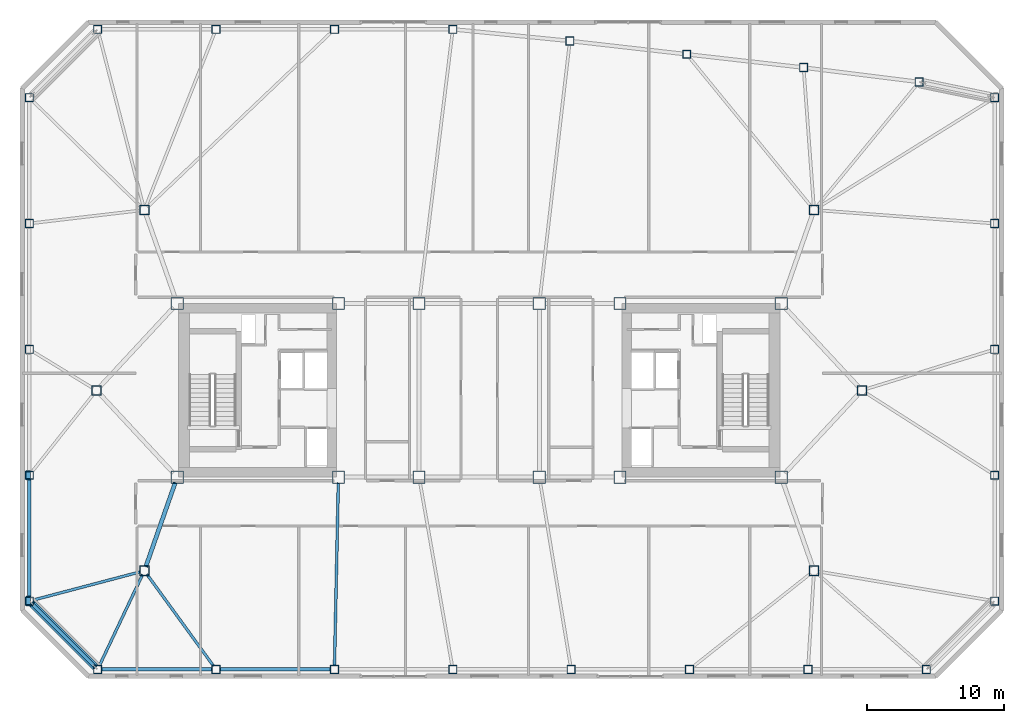
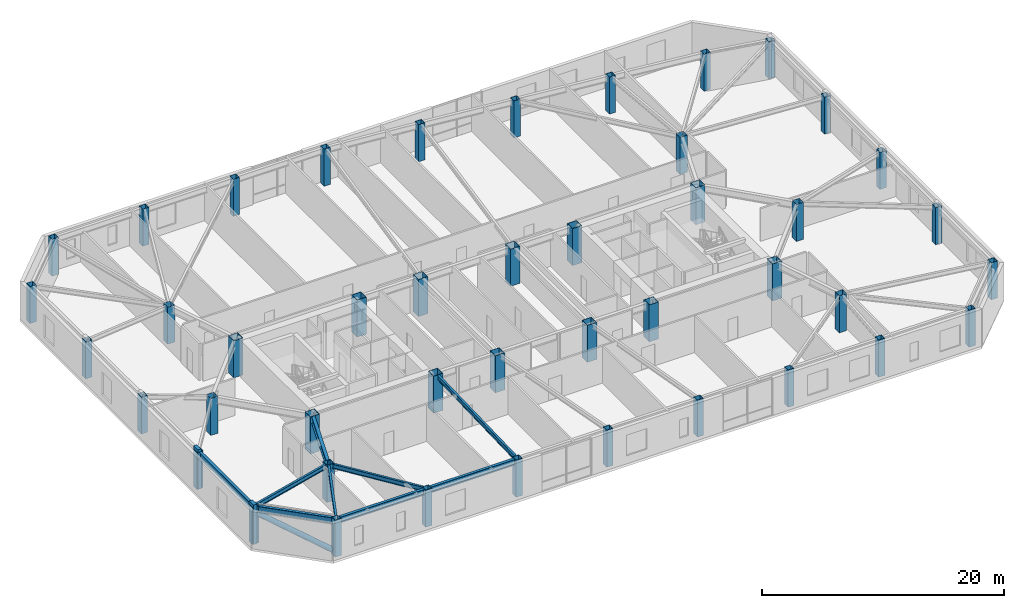
# One storey, part 1 of 18: 44 columns, 9 beams, 3 members.
"""IFC4 building model written with IfcOpenShell, lengths in metres."""

from ifc_helpers import new_model, si_unit, direction, frame, origin, origin_2d, place, context, subcontext, project, spatial, rectangle, hollow_rectangle, hollow_circle, i_section, extrude, material, material_profile, profile_set, type_object, element, save


model = new_model("IFC4")

# Units and contexts
model_context = context("Model", 3, precision=1e-05, world=origin(), true_north=direction((0.0, 1.0)))
body_context = subcontext(model_context, "Body", "Model", "MODEL_VIEW")
ifc_project = project(units=[si_unit("LENGTHUNIT", "METRE"), si_unit("AREAUNIT", "SQUARE_METRE"), si_unit("VOLUMEUNIT", "CUBIC_METRE"), si_unit("PLANEANGLEUNIT", "RADIAN"), si_unit("MASSUNIT", "GRAM", prefix="KILO")], contexts=[model_context])

# Site, building, storey
site_placement = place(None, origin())
site = spatial("IfcSite", under=ifc_project, at=site_placement, CompositionType="ELEMENT")
building_placement = place(site_placement, origin())
building = spatial("IfcBuilding", under=site, at=building_placement, Name="Tavrogorsk Clinical Tower", CompositionType="ELEMENT")
storey_placement = place(building_placement, frame((0.0, 0.0, 200.199951171875)))
storey = spatial("IfcBuildingStorey", under=building, at=storey_placement, Name="L46", CompositionType="ELEMENT", Elevation=200.199951171875)

# Columns
ifc_material_1 = material(Name="Structural steel S440", Category="steel")
ifc_material_profile_1 = material_profile(ifc_material_1, hollow_rectangle(XDim=0.699951171875, YDim=0.699951171875, WallThickness=0.031982421875, at=origin_2d()), Name="BOX-700x700x32")
ifc_profile_set_1 = profile_set([ifc_material_profile_1], Name="Structural steel S440")
column_type_1 = type_object("IfcColumnType", Name="MegaCol_BOX700", PredefinedType="COLUMN", material=ifc_profile_set_1)
for number, where, z_axis, x_axis, name in (
    (1, (-24.5, -13.199951171875, 0.0), (0.0, 0.0, 1.0), (1.0, 0.0, 0.0), "L46 Spine Pilotis Column MC-P1"),
    (2, (24.5, -13.199951171875, 0.0), (0.0, 0.0, 1.0), (1.0, 0.0, 0.0), "L46 Spine Pilotis Column MC-P2"),
    (3, (-24.5, 13.199951171875, 0.0), (0.0, 0.0, 1.0), (1.0, 0.0, 0.0), "L46 Spine Pilotis Column MC-P3"),
    (4, (24.5, 13.199951171875, 0.0), (0.0, 0.0, 1.0), (1.0, 0.0, 0.0), "L46 Spine Pilotis Column MC-P4"),
    (5, (-28.0, 0.0, 0.0), (0.0, 0.0, 1.0), (1.0, 0.0, 0.0), "L46 Spine Pilotis Column MC-P5"),
    (6, (28.0, 0.0, 0.0), (0.0, 0.0, 1.0), (1.0, 0.0, 0.0), "L46 Spine Pilotis Column MC-P6"),
):
    element("IfcColumn", number, at=place(storey_placement, frame(where, z_axis=z_axis, x_axis=x_axis)), inside=storey, type_object=column_type_1, Name=name, PredefinedType="COLUMN", context=body_context, shape_type="SweptSolid", body=[
        extrude(hollow_rectangle(XDim=0.699951171875, YDim=0.699951171875, WallThickness=0.031982421875, at=origin_2d()), origin(), (0.0, 0.0, 1.0), 3.739990234375),
    ])
ifc_material_2 = material(Name="Structural steel S440", Category="steel")
ifc_material_profile_2 = material_profile(ifc_material_2, hollow_rectangle(XDim=0.89990234375, YDim=0.89990234375, WallThickness=0.0400390625, at=origin_2d()), Name="BOX-900x900x40")
ifc_profile_set_2 = profile_set([ifc_material_profile_2], Name="Structural steel S440")
column_type_2 = type_object("IfcColumnType", Name="MegaCol_BOX900", PredefinedType="COLUMN", material=ifc_profile_set_2)
for number, where, z_axis, x_axis, name in (
    (7, (-22.10009765625, -6.35009765625, 0.0), (0.0, 0.0, 1.0), (1.0, 0.0, 0.0), "L46 Mega Column MC-W1"),
    (8, (-22.10009765625, 6.35009765625, 0.0), (0.0, 0.0, 1.0), (1.0, 0.0, 0.0), "L46 Mega Column MC-W2"),
    (9, (-10.300048828125, -6.35009765625, 0.0), (0.0, 0.0, 1.0), (1.0, 0.0, 0.0), "L46 Mega Column MC-W3"),
    (10, (-10.300048828125, 6.35009765625, 0.0), (0.0, 0.0, 1.0), (1.0, 0.0, 0.0), "L46 Mega Column MC-W4"),
    (11, (10.300048828125, -6.35009765625, 0.0), (0.0, 0.0, 1.0), (1.0, 0.0, 0.0), "L46 Mega Column MC-E1"),
    (12, (10.300048828125, 6.35009765625, 0.0), (0.0, 0.0, 1.0), (1.0, 0.0, 0.0), "L46 Mega Column MC-E2"),
    (13, (22.10009765625, -6.35009765625, 0.0), (0.0, 0.0, 1.0), (1.0, 0.0, 0.0), "L46 Mega Column MC-E3"),
    (14, (22.10009765625, 6.35009765625, 0.0), (0.0, 0.0, 1.0), (1.0, 0.0, 0.0), "L46 Mega Column MC-E4"),
    (15, (-4.39990234375, -6.35009765625, 0.0), (0.0, 0.0, 1.0), (1.0, 0.0, 0.0), "L46 Mega Column MC-C1"),
    (16, (4.39990234375, -6.35009765625, 0.0), (0.0, 0.0, 1.0), (1.0, 0.0, 0.0), "L46 Mega Column MC-C2"),
    (17, (-4.39990234375, 6.35009765625, 0.0), (0.0, 0.0, 1.0), (1.0, 0.0, 0.0), "L46 Mega Column MC-C3"),
    (18, (4.39990234375, 6.35009765625, 0.0), (0.0, 0.0, 1.0), (1.0, 0.0, 0.0), "L46 Mega Column MC-C4"),
):
    element("IfcColumn", number, at=place(storey_placement, frame(where, z_axis=z_axis, x_axis=x_axis)), inside=storey, type_object=column_type_2, Name=name, PredefinedType="COLUMN", context=body_context, shape_type="SweptSolid", body=[
        extrude(hollow_rectangle(XDim=0.89990234375, YDim=0.89990234375, WallThickness=0.0400390625, at=origin_2d()), origin(), (0.0, 0.0, 1.0), 3.739990234375),
    ])
ifc_material_3 = material(Name="Structural steel S440", Category="steel")
ifc_material_profile_3 = material_profile(ifc_material_3, hollow_rectangle(XDim=0.60009765625, YDim=0.60009765625, WallThickness=0.028076171875, at=origin_2d()), Name="BOX-600x600x28")
ifc_profile_set_3 = profile_set([ifc_material_profile_3], Name="Structural steel S440")
column_type_3 = type_object("IfcColumnType", Name="PerimCol_B3_BOX600", PredefinedType="COLUMN", material=ifc_profile_set_3)
for number, where, z_axis, x_axis, name in (
    (19, (-27.919921875, -20.419921875, 0.0), (0.0, 0.0, 1.0), (1.0, 0.0, 0.0), "L46 Perimeter Column S1"),
    (20, (-19.257080078125, -20.419921875, 0.0), (0.0, 0.0, 1.0), (1.0, 0.0, 0.0), "L46 Perimeter Column S2"),
    (21, (-10.59423828125, -20.419921875, 0.0), (0.0, 0.0, 1.0), (1.0, 0.0, 0.0), "L46 Perimeter Column S3"),
    (22, (-1.931396484375, -20.419921875, 0.0), (0.0, 0.0, 1.0), (1.0, 0.0, 0.0), "L46 Perimeter Column S4"),
    (23, (6.7314453125, -20.419921875, 0.0), (0.0, 0.0, 1.0), (1.0, 0.0, 0.0), "L46 Perimeter Column S5"),
    (24, (15.394287109375, -20.419921875, 0.0), (0.0, 0.0, 1.0), (1.0, 0.0, 0.0), "L46 Perimeter Column S6"),
    (25, (24.05712890625, -20.419921875, 0.0), (0.0, 0.0, 1.0), (1.0, 0.0, 0.0), "L46 Perimeter Column S7"),
    (26, (32.719970703125, -20.419921875, 0.0), (0.0, 0.0, 1.0), (1.0, 0.0, 0.0), "L46 Perimeter Column S8"),
    (27, (32.19140625, 22.56591796875, 0.0), (0.0, 0.0, 1.0), (1.0, 0.0, 0.0), "L46 Perimeter Column N1"),
    (28, (23.73779296875, 23.617919921875, 0.0), (0.0, 0.0, 1.0), (1.0, 0.0, 0.0), "L46 Perimeter Column N2"),
    (29, (15.18603515625, 24.59228515625, 0.0), (0.0, 0.0, 1.0), (1.0, 0.0, 0.0), "L46 Perimeter Column N3"),
    (30, (6.63427734375, 25.566650390625, 0.0), (0.0, 0.0, 1.0), (1.0, 0.0, 0.0), "L46 Perimeter Column N4"),
    (31, (-1.931396484375, 26.419921875, 0.0), (0.0, 0.0, 1.0), (1.0, 0.0, 0.0), "L46 Perimeter Column N5"),
    (32, (-10.59423828125, 26.419921875, 0.0), (0.0, 0.0, 1.0), (1.0, 0.0, 0.0), "L46 Perimeter Column N6"),
    (33, (-19.257080078125, 26.419921875, 0.0), (0.0, 0.0, 1.0), (1.0, 0.0, 0.0), "L46 Perimeter Column N7"),
    (34, (-27.919921875, 26.419921875, 0.0), (0.0, 0.0, 1.0), (1.0, 0.0, 0.0), "L46 Perimeter Column N8"),
    (35, (37.719970703125, -15.419921875, 0.0), (0.0, 0.0, 1.0), (1.0, 0.0, 0.0), "L46 Perimeter Column E1"),
    (36, (37.719970703125, -6.2099609375, 0.0), (0.0, 0.0, 1.0), (1.0, 0.0, 0.0), "L46 Perimeter Column E2"),
    (37, (37.719970703125, 3.0, 0.0), (0.0, 0.0, 1.0), (1.0, 0.0, 0.0), "L46 Perimeter Column E3"),
    (38, (37.719970703125, 12.2099609375, 0.0), (0.0, 0.0, 1.0), (1.0, 0.0, 0.0), "L46 Perimeter Column E4"),
    (39, (37.719970703125, 21.419921875, 0.0), (0.0, 0.0, 1.0), (1.0, 0.0, 0.0), "L46 Perimeter Column E5"),
    (40, (-32.919921875, 21.419921875, 0.0), (0.0, 0.0, 1.0), (1.0, 0.0, 0.0), "L46 Perimeter Column W1"),
    (41, (-32.919921875, 12.2099609375, 0.0), (0.0, 0.0, 1.0), (1.0, 0.0, 0.0), "L46 Perimeter Column W2"),
    (42, (-32.919921875, 3.0, 0.0), (0.0, 0.0, 1.0), (1.0, 0.0, 0.0), "L46 Perimeter Column W3"),
    (43, (-32.919921875, -6.2099609375, 0.0), (0.0, 0.0, 1.0), (1.0, 0.0, 0.0), "L46 Perimeter Column W4"),
    (44, (-32.919921875, -15.419921875, 0.0), (0.0, 0.0, 1.0), (1.0, 0.0, 0.0), "L46 Perimeter Column W5"),
):
    element("IfcColumn", number, at=place(storey_placement, frame(where, z_axis=z_axis, x_axis=x_axis)), inside=storey, type_object=column_type_3, Name=name, PredefinedType="COLUMN", context=body_context, shape_type="SweptSolid", body=[
        extrude(hollow_rectangle(XDim=0.60009765625, YDim=0.60009765625, WallThickness=0.028076171875, at=origin_2d()), origin(), (0.0, 0.0, 1.0), 3.739990234375),
    ])

# Member
ifc_material_4 = material(Name="Structural steel S440", Category="steel")
ifc_material_profile_4 = material_profile(ifc_material_4, hollow_circle(Radius=0.25390625, WallThickness=0.02001953125, at=origin_2d()), Name="CHS-508x20")
ifc_profile_set_4 = profile_set([ifc_material_profile_4], Name="Structural steel S440")
member_type_1 = type_object("IfcMemberType", Name="ExoBrace_CHS508", PredefinedType="BRACE", material=ifc_profile_set_4)
member_placement = place(storey_placement, frame((-28.12255859375, -20.217529296875, 0.4130859375), z_axis=(-0.657758524103, 0.657758524103, 0.367025132572), x_axis=(-0.707106781187, -0.707106781187, 0.0)))
element("IfcMember", 45, at=member_placement, inside=storey, type_object=member_type_1, Name="L46 Corner Exoskeleton Brace W5-S1", PredefinedType="BRACE", context=body_context, shape_type="SweptSolid", body=[
    extrude(hollow_circle(Radius=0.25390625, WallThickness=0.02001953125, at=origin_2d()), origin(), (0.0, 0.0, 1.0), 6.98583984375),
])

# Beams
ifc_material_5 = material(Name="Structural steel S355", Category="steel")
ifc_material_profile_5 = material_profile(ifc_material_5, i_section(OverallWidth=0.199951171875, OverallDepth=0.449951171875, WebThickness=0.011474609375, FlangeThickness=0.01806640625, at=origin_2d()), Name="B-450x200x11.5x18")
ifc_profile_set_5 = profile_set([ifc_material_profile_5], Name="Structural steel S355")
beam_type_1 = type_object("IfcBeamType", Name="FloorBeam_B450", PredefinedType="BEAM", material=ifc_profile_set_5)
beam_1_placement = place(storey_placement, frame((-24.6328125, -13.480224609375, 3.51513671875), z_axis=(-0.428073530385, -0.90374390874, 0.0), x_axis=(0.90374390874, -0.428073530385, 0.0)))
element("IfcBeam", 46, at=beam_1_placement, inside=storey, type_object=beam_type_1, Name="L46 Radial Floor Beam S1", PredefinedType="BEAM", context=body_context, shape_type="SweptSolid", body=[
    extrude(i_section(OverallWidth=0.199951171875, OverallDepth=0.449951171875, WebThickness=0.011474609375, FlangeThickness=0.01806640625, at=origin_2d()), origin(), (0.0, 0.0, 1.0), 7.370849609375),
])
beam_2_placement = place(storey_placement, frame((-24.31787109375, -13.450927734375, 3.51513671875), z_axis=(0.587591229638, -0.809157924544, 0.0), x_axis=(0.809157924544, 0.587591229638, 0.0)))
element("IfcBeam", 47, at=beam_2_placement, inside=storey, type_object=beam_type_1, Name="L46 Radial Floor Beam S2", PredefinedType="BEAM", context=body_context, shape_type="SweptSolid", body=[
    extrude(i_section(OverallWidth=0.199951171875, OverallDepth=0.449951171875, WebThickness=0.011474609375, FlangeThickness=0.01806640625, at=origin_2d()), origin(), (0.0, 0.0, 1.0), 8.304931640625),
])
beam_3_placement = place(storey_placement, frame((-10.30859375, -6.760009765625, 3.51513671875), z_axis=(-0.020913325994, -0.999781292481, 0.0), x_axis=(0.999781292481, -0.020913325994, 0.0)))
element("IfcBeam", 48, at=beam_3_placement, inside=storey, type_object=beam_type_1, Name="L46 Radial Floor Beam S3", PredefinedType="BEAM", context=body_context, shape_type="SweptSolid", body=[
    extrude(i_section(OverallWidth=0.199951171875, OverallDepth=0.449951171875, WebThickness=0.011474609375, FlangeThickness=0.01806640625, at=origin_2d()), origin(), (0.0, 0.0, 1.0), 13.35498046875),
])
beam_4_placement = place(storey_placement, frame((-24.7998046875, -13.279052734375, 3.51513671875), z_axis=(-0.966952457073, -0.254956752726, 0.0), x_axis=(0.254956752726, -0.966952457073, 0.0)))
element("IfcBeam", 49, at=beam_4_placement, inside=storey, type_object=beam_type_1, Name="L46 Radial Floor Beam W5", PredefinedType="BEAM", context=body_context, shape_type="SweptSolid", body=[
    extrude(i_section(OverallWidth=0.199951171875, OverallDepth=0.449951171875, WebThickness=0.011474609375, FlangeThickness=0.01806640625, at=origin_2d()), origin(), (0.0, 0.0, 1.0), 8.089599609375),
])

# Members
ifc_material_6 = material(Name="Precast concrete B45 with limestone cladding", Category="masonry")
ifc_material_profile_6 = material_profile(ifc_material_6, rectangle(XDim=0.320068359375, YDim=0.719970703125, at=origin_2d()), Name="LIMESTONE-FIN-320x720")
ifc_profile_set_6 = profile_set([ifc_material_profile_6], Name="Precast concrete B45 with limestone cladding")
member_type_2 = type_object("IfcMemberType", Name="LimestonePleatFin_320x720", PredefinedType="USERDEFINED", material=ifc_profile_set_6)
for number, where, z_axis, x_axis, name in (
    (50, (-33.0, -6.2099609375, 0.0), (0.0, 0.0, 1.0), (1.0, 0.0, 0.0), "L46 W Pleated Stone Fin 3"),
    (51, (-33.0, -15.419921875, 0.0), (0.0, 0.0, 1.0), (1.0, 0.0, 0.0), "L46 W Pleated Stone Fin 4"),
):
    element("IfcMember", number, at=place(storey_placement, frame(where, z_axis=z_axis, x_axis=x_axis)), inside=storey, type_object=member_type_2, Name=name, ObjectType="FIN", PredefinedType="USERDEFINED", context=body_context, shape_type="SweptSolid", body=[
        extrude(rectangle(XDim=0.320068359375, YDim=0.719970703125, at=origin_2d()), origin(), (0.0, 0.0, 1.0), 4.0),
    ])

# Beams
ifc_material_7 = material(Name="Structural steel S390", Category="steel")
ifc_material_profile_7 = material_profile(ifc_material_7, i_section(OverallWidth=0.300048828125, OverallDepth=0.699951171875, WebThickness=0.01708984375, FlangeThickness=0.028076171875, at=origin_2d()), Name="B-700x300x17x28")
ifc_profile_set_7 = profile_set([ifc_material_profile_7], Name="Structural steel S390")
beam_type_2 = type_object("IfcBeamType", Name="PrimaryGirder_B700", PredefinedType="USERDEFINED", material=ifc_profile_set_7)
beam_5_placement = place(storey_placement, frame((-24.3974609375, -12.907470703125, 3.39013671875), z_axis=(0.33065312634, 0.94375235631, 0.0), x_axis=(-0.94375235631, 0.33065312634, 0.0)))
element("IfcBeam", 52, at=beam_5_placement, inside=storey, type_object=beam_type_2, Name="L46 Spine Link Girder OPG-1", ObjectType="GIRDER", PredefinedType="USERDEFINED", context=body_context, shape_type="SweptSolid", body=[
    extrude(i_section(OverallWidth=0.300048828125, OverallDepth=0.699951171875, WebThickness=0.01708984375, FlangeThickness=0.028076171875, at=origin_2d()), origin(), (0.0, 0.0, 1.0), 6.5380859375),
])
ifc_material_8 = material(Name="Structural steel S390", Category="steel")
ifc_material_profile_8 = material_profile(ifc_material_8, i_section(OverallWidth=0.260009765625, OverallDepth=0.60009765625, WebThickness=0.014892578125, FlangeThickness=0.02392578125, at=origin_2d()), Name="B-600x260x15x24")
ifc_profile_set_8 = profile_set([ifc_material_profile_8], Name="Structural steel S390")
beam_type_3 = type_object("IfcBeamType", Name="SpandrelBeam_B600", PredefinedType="SPANDREL", material=ifc_profile_set_8)
for number, where, z_axis, x_axis, name in (
    (53, (-27.612060546875, -20.419921875, 3.43994140625), (1.0, 0.0, 0.0), (0.0, 1.0, 0.0), "L46 Perimeter Spandrel S1-S2"),
    (54, (-18.94921875, -20.419921875, 3.43994140625), (1.0, 0.0, 0.0), (0.0, 1.0, 0.0), "L46 Perimeter Spandrel S2-S3"),
):
    element("IfcBeam", number, at=place(storey_placement, frame(where, z_axis=z_axis, x_axis=x_axis)), inside=storey, type_object=beam_type_3, Name=name, PredefinedType="SPANDREL", context=body_context, shape_type="SweptSolid", body=[
        extrude(i_section(OverallWidth=0.260009765625, OverallDepth=0.60009765625, WebThickness=0.014892578125, FlangeThickness=0.02392578125, at=origin_2d()), origin(), (0.0, 0.0, 1.0), 8.046875),
    ])
beam_6_placement = place(storey_placement, frame((-32.919921875, -6.51806640625, 3.43994140625), z_axis=(0.0, -1.0, 0.0), x_axis=(1.0, 0.0, 0.0)))
element("IfcBeam", 55, at=beam_6_placement, inside=storey, type_object=beam_type_3, Name="L46 Perimeter Spandrel W4-W5", PredefinedType="SPANDREL", context=body_context, shape_type="SweptSolid", body=[
    extrude(i_section(OverallWidth=0.260009765625, OverallDepth=0.60009765625, WebThickness=0.014892578125, FlangeThickness=0.02392578125, at=origin_2d()), origin(), (0.0, 0.0, 1.0), 8.593994140625),
])
beam_7_placement = place(storey_placement, frame((-32.7021484375, -15.6376953125, 3.43994140625), z_axis=(0.707106781187, -0.707106781187, 0.0), x_axis=(0.707106781187, 0.707106781187, 0.0)))
element("IfcBeam", 56, at=beam_7_placement, inside=storey, type_object=beam_type_3, Name="L46 Perimeter Spandrel W5-S1", PredefinedType="SPANDREL", context=body_context, shape_type="SweptSolid", body=[
    extrude(i_section(OverallWidth=0.260009765625, OverallDepth=0.60009765625, WebThickness=0.014892578125, FlangeThickness=0.02392578125, at=origin_2d()), origin(), (0.0, 0.0, 1.0), 6.455078125),
])

save(model, "model.ifc")
